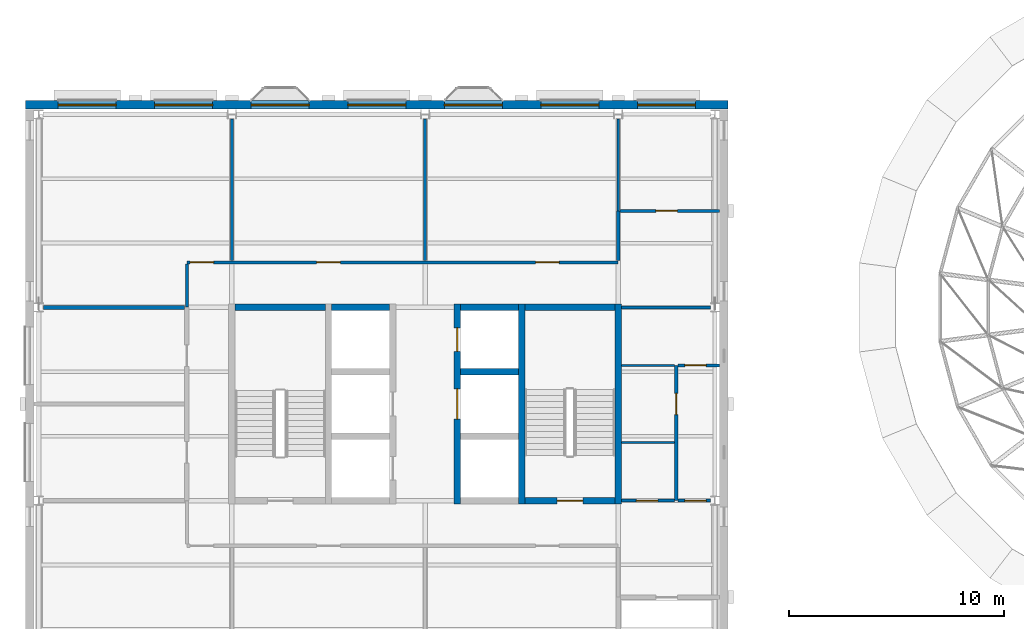
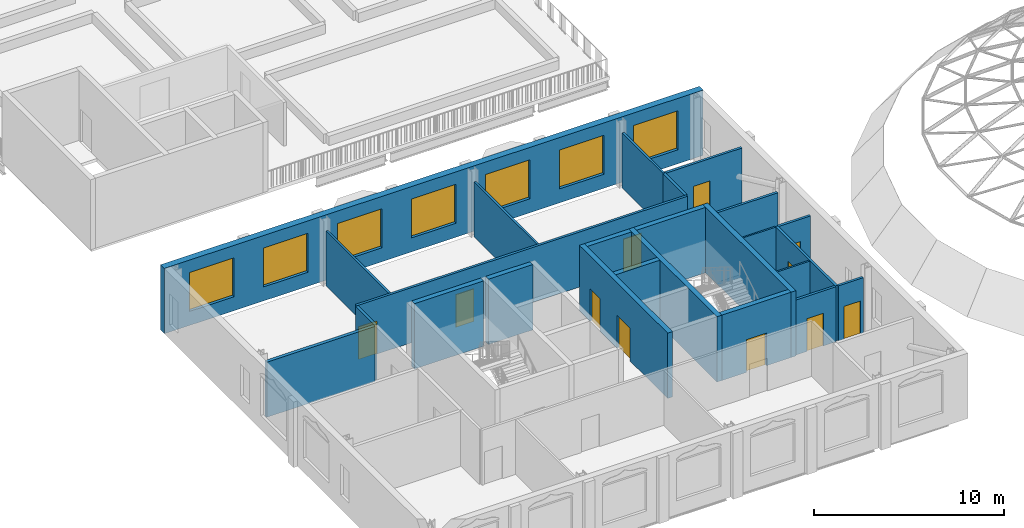
# One storey, part 13 of 33: 25 walls, 11 doors, 7 windows, 18 openings.
"""IFC4 building model written with IfcOpenShell, lengths in metres."""

from ifc_helpers import new_model, si_unit, direction, frame, frame_2d, origin, place, context, subcontext, project, spatial, rectangle, extrude, material, layer, layer_set, type_object, element, fill, save


model = new_model("IFC4")

# Units and contexts
model_context = context("Model", 3, precision=1e-05, world=origin(), true_north=direction((0.0, 1.0)))
body_context = subcontext(model_context, "Body", "Model", "MODEL_VIEW")
ifc_project = project(units=[si_unit("LENGTHUNIT", "METRE"), si_unit("AREAUNIT", "SQUARE_METRE"), si_unit("VOLUMEUNIT", "CUBIC_METRE"), si_unit("PLANEANGLEUNIT", "RADIAN"), si_unit("MASSUNIT", "GRAM", prefix="KILO")], contexts=[model_context])

# Site, building, storey
site_placement = place(None, origin())
site = spatial("IfcSite", under=ifc_project, at=site_placement, CompositionType="ELEMENT")
building_placement = place(site_placement, origin())
building = spatial("IfcBuilding", under=site, at=building_placement, Name="Hortulan Conservatory and Botanical Research Centre", CompositionType="ELEMENT")
storey_placement = place(building_placement, frame((0.0, 0.0, 19.199951171875)))
storey = spatial("IfcBuildingStorey", under=building, at=storey_placement, Name="L04", CompositionType="ELEMENT", Elevation=19.199951171875)

# Wall
ifc_material_1 = material(Name="Fire-rated plasterboard on steel studs", Category="steel")
ifc_layer_1 = layer(ifc_material_1, 0.199951171875)
ifc_layer_set_1 = layer_set([ifc_layer_1], Name="Compartment Partition 200")
wall_type_1 = type_object("IfcWallType", Name="Compartment Partition 200", PredefinedType="PARTITIONING", material=ifc_layer_set_1)
wall_1_placement = place(storey_placement, frame((0.2099609375, 18.0, 0.0), z_axis=(0.0, 0.0, 1.0), x_axis=(1.0, 0.0, 0.0)))
element("IfcWall", 1, at=wall_1_placement, inside=storey, type_object=wall_type_1, Name="Store wall", PredefinedType="PARTITIONING", context=body_context, shape_type="SweptSolid", body=[
    extrude(rectangle(XDim=6.580078125, YDim=0.199951171875, at=frame_2d((3.2900390625, 0.0))), origin(), (0.0, 0.0, 1.0), 3.537109375),
])

# Wall, openings, doors
ifc_material_2 = material(Name="Concrete N50 (50 MPa, AS 3600)", Category="concrete")
ifc_layer_2 = layer(ifc_material_2, 0.300048828125)
ifc_layer_set_2 = layer_set([ifc_layer_2], Name="Core Wall 300 N50 FRL 240/120/120")
wall_type_2 = type_object("IfcWallType", Name="Core Wall 300 N50 FRL 240/120/120", PredefinedType="SHEAR", material=ifc_layer_set_2)
wall_2_placement = place(storey_placement, frame((19.5, 8.85009765625, 0.0), z_axis=(0.0, 0.0, 1.0), x_axis=(0.0, 1.0, 0.0)))
wall_2 = element("IfcWall", 2, at=wall_2_placement, inside=storey, type_object=wall_type_2, Name="Reinforced concrete shaft wall", PredefinedType="SHEAR", context=body_context, shape_type="SweptSolid", body=[
    extrude(rectangle(XDim=9.2998046875, YDim=0.300048828125, at=frame_2d((4.64990234375, 0.0))), origin(), (0.0, 0.0, 1.0), 4.199951171875),
])
opening_1_placement = place(wall_2_placement, frame((3.949951171875, 0.0, 0.0)))
opening_1 = element("IfcOpeningElement", 3, at=opening_1_placement, cuts=wall_2, Name="Opening LD2", PredefinedType="OPENING", context=body_context, shape_type="SweptSolid", body=[
    extrude(rectangle(XDim=1.39990234375, YDim=2.10009765625, at=frame_2d((0.699951171875, 1.050048828125))), frame((0.0, 0.159912109375, 0.0), z_axis=(0.0, -1.0, 0.0), x_axis=(1.0, 0.0, 0.0)), (0.0, 0.0, 1.0), 0.320068359375),
])
opening_2_placement = place(wall_2_placement, frame((7.10009765625, 0.0, 0.0)))
opening_2 = element("IfcOpeningElement", 4, at=opening_2_placement, cuts=wall_2, Name="Opening LD1", PredefinedType="OPENING", context=body_context, shape_type="SweptSolid", body=[
    extrude(rectangle(XDim=1.10009765625, YDim=2.10009765625, at=frame_2d((0.550048828125, 1.050048828125))), frame((0.0, 0.159912109375, 0.0), z_axis=(0.0, -1.0, 0.0), x_axis=(1.0, 0.0, 0.0)), (0.0, 0.0, 1.0), 0.320068359375),
])
ifc_material_3 = material(Name="Stainless steel door leaves in steel frame", Category="steel")
door_type_1 = type_object("IfcDoorType", Name="Lift Landing Door 1100x2100", OperationType="DOUBLE_DOOR_SLIDING", PredefinedType="DOOR", material=ifc_material_3)
door_1_placement = place(opening_2_placement, origin())
door_1 = element("IfcDoor", 5, at=door_1_placement, inside=storey, type_object=door_type_1, Name="Lift LF1 landing door L04", OperationType="DOUBLE_DOOR_SLIDING", OverallHeight=2.10009765625, OverallWidth=1.10009765625, PredefinedType="DOOR", context=body_context, shape_type="SweptSolid", body=[
    extrude(rectangle(XDim=1.10009765625, YDim=2.10009765625, at=frame_2d((0.550048828125, 1.050048828125))), frame((0.0, 0.02490234375, 0.0), z_axis=(0.0, -1.0, 0.0), x_axis=(1.0, 0.0, 0.0)), (0.0, 0.0, 1.0), 0.050048828125),
])
fill(opening_2, door_1)
door_type_2 = type_object("IfcDoorType", Name="Lift Landing Door 1400x2100", OperationType="DOUBLE_DOOR_SLIDING", PredefinedType="DOOR", material=ifc_material_3)
door_2_placement = place(opening_1_placement, origin())
door_2 = element("IfcDoor", 6, at=door_2_placement, inside=storey, type_object=door_type_2, Name="Lift LG1 landing door L04", OperationType="DOUBLE_DOOR_SLIDING", OverallHeight=2.10009765625, OverallWidth=1.39990234375, PredefinedType="DOOR", context=body_context, shape_type="SweptSolid", body=[
    extrude(rectangle(XDim=1.39990234375, YDim=2.10009765625, at=frame_2d((0.699951171875, 1.050048828125))), frame((0.0, 0.02490234375, 0.0), z_axis=(0.0, -1.0, 0.0), x_axis=(1.0, 0.0, 0.0)), (0.0, 0.0, 1.0), 0.050048828125),
])
fill(opening_1, door_2)

# Walls
for number, where, z_axis, x_axis, name in (
    (7, (22.5, 8.85009765625, 0.0), (0.0, 0.0, 1.0), (0.0, 1.0, 0.0), "Reinforced concrete shaft wall"),
    (8, (27.0, 8.85009765625, 0.0), (0.0, 0.0, 1.0), (0.0, 1.0, 0.0), "Reinforced concrete shaft wall"),
):
    element("IfcWall", number, at=place(storey_placement, frame(where, z_axis=z_axis, x_axis=x_axis)), inside=storey, type_object=wall_type_2, Name=name, PredefinedType="SHEAR", context=body_context, shape_type="SweptSolid", body=[
        extrude(rectangle(XDim=9.2998046875, YDim=0.300048828125, at=frame_2d((4.64990234375, 0.0))), origin(), (0.0, 0.0, 1.0), 4.199951171875),
    ])

# Wall, opening, door
wall_3_placement = place(storey_placement, frame((22.64990234375, 9.0, 0.0), z_axis=(0.0, 0.0, 1.0), x_axis=(1.0, 0.0, 0.0)))
wall_3 = element("IfcWall", 9, at=wall_3_placement, inside=storey, type_object=wall_type_2, Name="Reinforced concrete shaft wall", PredefinedType="SHEAR", context=body_context, shape_type="SweptSolid", body=[
    extrude(rectangle(XDim=4.2001953125, YDim=0.300048828125, at=frame_2d((2.10009765625, 0.0))), origin(), (0.0, 0.0, 1.0), 4.199951171875),
])
opening_3_placement = place(wall_3_placement, frame((1.5, 0.0, 0.0)))
opening_3 = element("IfcOpeningElement", 10, at=opening_3_placement, cuts=wall_3, Name="Opening DT5", PredefinedType="OPENING", context=body_context, shape_type="SweptSolid", body=[
    extrude(rectangle(XDim=1.199951171875, YDim=2.10009765625, at=frame_2d((0.60009765625, 1.050048828125))), frame((0.0, 0.159912109375, 0.0), z_axis=(0.0, -1.0, 0.0), x_axis=(1.0, 0.0, 0.0)), (0.0, 0.0, 1.0), 0.320068359375),
])
ifc_material_4 = material(Name="Steel door leaf, insulated", Category="steel")
door_type_3 = type_object("IfcDoorType", Name="Stair Door 1200x2100 FRL -/120/30", OperationType="NOTDEFINED", PredefinedType="DOOR", material=ifc_material_4)
door_3_placement = place(opening_3_placement, origin())
door_3 = element("IfcDoor", 11, at=door_3_placement, inside=storey, type_object=door_type_3, Name="Door DT5 Exit Stair T2", OperationType="SINGLE_SWING_LEFT", OverallHeight=2.10009765625, OverallWidth=1.199951171875, PredefinedType="DOOR", context=body_context, shape_type="SweptSolid", body=[
    extrude(rectangle(XDim=1.199951171875, YDim=2.10009765625, at=frame_2d((0.60009765625, 1.050048828125))), frame((0.0, 0.02490234375, 0.0), z_axis=(0.0, -1.0, 0.0), x_axis=(1.0, 0.0, 0.0)), (0.0, 0.0, 1.0), 0.050048828125),
])
fill(opening_3, door_3)

# Walls
wall_4_placement = place(storey_placement, frame((19.64990234375, 15.0, 0.0), z_axis=(0.0, 0.0, 1.0), x_axis=(1.0, 0.0, 0.0)))
element("IfcWall", 12, at=wall_4_placement, inside=storey, type_object=wall_type_2, Name="Reinforced concrete shaft wall", PredefinedType="SHEAR", context=body_context, shape_type="SweptSolid", body=[
    extrude(rectangle(XDim=2.7001953125, YDim=0.300048828125, at=frame_2d((1.35009765625, 0.0))), origin(), (0.0, 0.0, 1.0), 4.199951171875),
])
wall_5_placement = place(storey_placement, frame((9.14990234375, 18.0, 0.0), z_axis=(0.0, 0.0, 1.0), x_axis=(1.0, 0.0, 0.0)))
element("IfcWall", 13, at=wall_5_placement, inside=storey, type_object=wall_type_2, Name="Reinforced concrete shaft wall", PredefinedType="SHEAR", context=body_context, shape_type="SweptSolid", body=[
    extrude(rectangle(XDim=4.2001953125, YDim=0.300048828125, at=frame_2d((2.10009765625, 0.0))), origin(), (0.0, 0.0, 1.0), 4.199951171875),
])
for number, where, z_axis, x_axis, name in (
    (14, (13.64990234375, 18.0, 0.0), (0.0, 0.0, 1.0), (1.0, 0.0, 0.0), "Reinforced concrete shaft wall"),
    (15, (19.64990234375, 18.0, 0.0), (0.0, 0.0, 1.0), (1.0, 0.0, 0.0), "Reinforced concrete shaft wall"),
):
    element("IfcWall", number, at=place(storey_placement, frame(where, z_axis=z_axis, x_axis=x_axis)), inside=storey, type_object=wall_type_2, Name=name, PredefinedType="SHEAR", context=body_context, shape_type="SweptSolid", body=[
        extrude(rectangle(XDim=2.7001953125, YDim=0.300048828125, at=frame_2d((1.35009765625, 0.0))), origin(), (0.0, 0.0, 1.0), 4.199951171875),
    ])
wall_6_placement = place(storey_placement, frame((22.64990234375, 18.0, 0.0), z_axis=(0.0, 0.0, 1.0), x_axis=(1.0, 0.0, 0.0)))
element("IfcWall", 16, at=wall_6_placement, inside=storey, type_object=wall_type_2, Name="Reinforced concrete shaft wall", PredefinedType="SHEAR", context=body_context, shape_type="SweptSolid", body=[
    extrude(rectangle(XDim=4.2001953125, YDim=0.300048828125, at=frame_2d((2.10009765625, 0.0))), origin(), (0.0, 0.0, 1.0), 4.199951171875),
])
ifc_material_5 = material(Name="Plasterboard on steel studs", Category="steel")
ifc_layer_3 = layer(ifc_material_5, 0.14990234375)
ifc_layer_set_3 = layer_set([ifc_layer_3], Name="Corridor Partition 150")
wall_type_3 = type_object("IfcWallType", Name="Corridor Partition 150", PredefinedType="PARTITIONING", material=ifc_layer_set_3)
wall_7_placement = place(storey_placement, frame((6.89990234375, 18.010009765625, 0.0), z_axis=(0.0, 0.0, 1.0), x_axis=(0.0, 1.0, 0.0)))
element("IfcWall", 17, at=wall_7_placement, inside=storey, type_object=wall_type_3, Name="Corridor partition", PredefinedType="PARTITIONING", context=body_context, shape_type="SweptSolid", body=[
    extrude(rectangle(XDim=2.0048828125, YDim=0.14990234375, at=frame_2d((1.00244140625, 0.0))), origin(), (0.0, 0.0, 1.0), 3.537109375),
])
wall_8_placement = place(storey_placement, frame((27.0, 20.18505859375, 0.0), z_axis=(0.0, 0.0, 1.0), x_axis=(0.0, 1.0, 0.0)))
element("IfcWall", 18, at=wall_8_placement, inside=storey, type_object=wall_type_3, Name="Corridor partition", PredefinedType="PARTITIONING", context=body_context, shape_type="SweptSolid", body=[
    extrude(rectangle(XDim=2.304931640625, YDim=0.14990234375, at=frame_2d((1.15234375, 0.0))), origin(), (0.0, 0.0, 1.0), 3.537109375),
])

# Wall, opening, door
wall_9_placement = place(storey_placement, frame((27.159912109375, 9.0, 0.0), z_axis=(0.0, 0.0, 1.0), x_axis=(1.0, 0.0, 0.0)))
wall_9 = element("IfcWall", 19, at=wall_9_placement, inside=storey, type_object=wall_type_3, Name="Corridor partition", PredefinedType="PARTITIONING", context=body_context, shape_type="SweptSolid", body=[
    extrude(rectangle(XDim=2.455078125, YDim=0.14990234375, at=frame_2d((1.2275390625, 0.0))), origin(), (0.0, 0.0, 1.0), 3.537109375),
])
opening_4_placement = place(wall_9_placement, frame((0.68994140625, 0.0, 0.0)))
opening_4 = element("IfcOpeningElement", 20, at=opening_4_placement, cuts=wall_9, Name="Opening DT1", PredefinedType="OPENING", context=body_context, shape_type="SweptSolid", body=[
    extrude(rectangle(XDim=1.0, YDim=2.10009765625, at=frame_2d((0.5, 1.050048828125))), frame((0.0, 0.0849609375, 0.0), z_axis=(0.0, -1.0, 0.0), x_axis=(1.0, 0.0, 0.0)), (0.0, 0.0, 1.0), 0.169921875),
])
ifc_material_6 = material(Name="Timber door leaf in timber frame", Category="wood")
door_type_4 = type_object("IfcDoorType", Name="Single Door 1000x2100", OperationType="NOTDEFINED", PredefinedType="DOOR", material=ifc_material_6)
door_4_placement = place(opening_4_placement, origin())
door_4 = element("IfcDoor", 21, at=door_4_placement, inside=storey, type_object=door_type_4, Name="Door DT1 Accessible WC", OperationType="SINGLE_SWING_RIGHT", OverallHeight=2.10009765625, OverallWidth=1.0, PredefinedType="DOOR", context=body_context, shape_type="SweptSolid", body=[
    extrude(rectangle(XDim=1.0, YDim=2.10009765625, at=frame_2d((0.5, 1.050048828125))), frame((0.0, 0.02490234375, 0.0), z_axis=(0.0, -1.0, 0.0), x_axis=(1.0, 0.0, 0.0)), (0.0, 0.0, 1.0), 0.050048828125),
])
fill(opening_4, door_4)

# Wall
wall_10_placement = place(storey_placement, frame((27.159912109375, 18.0, 0.0), z_axis=(0.0, 0.0, 1.0), x_axis=(1.0, 0.0, 0.0)))
element("IfcWall", 22, at=wall_10_placement, inside=storey, type_object=wall_type_3, Name="Corridor partition", PredefinedType="PARTITIONING", context=body_context, shape_type="SweptSolid", body=[
    extrude(rectangle(XDim=4.130126953125, YDim=0.14990234375, at=frame_2d((2.06494140625, 0.0))), origin(), (0.0, 0.0, 1.0), 3.537109375),
])

# Wall, openings, doors
wall_11_placement = place(storey_placement, frame((6.89990234375, 20.10009765625, 0.0), z_axis=(0.0, 0.0, 1.0), x_axis=(1.0, 0.0, 0.0)))
wall_11 = element("IfcWall", 23, at=wall_11_placement, inside=storey, type_object=wall_type_3, Name="Corridor partition", PredefinedType="PARTITIONING", context=body_context, shape_type="SweptSolid", body=[
    extrude(rectangle(XDim=20.10009765625, YDim=0.14990234375, at=frame_2d((10.050048828125, 0.0))), origin(), (0.0, 0.0, 1.0), 3.537109375),
])
opening_5_placement = place(wall_11_placement, frame((0.14990234375, 0.0, 0.0)))
opening_5 = element("IfcOpeningElement", 24, at=opening_5_placement, cuts=wall_11, Name="Opening DT3", PredefinedType="OPENING", context=body_context, shape_type="SweptSolid", body=[
    extrude(rectangle(XDim=1.10009765625, YDim=2.10009765625, at=frame_2d((0.550048828125, 1.050048828125))), frame((0.0, 0.0849609375, 0.0), z_axis=(0.0, -1.0, 0.0), x_axis=(1.0, 0.0, 0.0)), (0.0, 0.0, 1.0), 0.169921875),
])
opening_6_placement = place(wall_11_placement, frame((6.050048828125, 0.0, 0.0)))
opening_6 = element("IfcOpeningElement", 25, at=opening_6_placement, cuts=wall_11, Name="Opening DT3", PredefinedType="OPENING", context=body_context, shape_type="SweptSolid", body=[
    extrude(rectangle(XDim=1.10009765625, YDim=2.10009765625, at=frame_2d((0.550048828125, 1.050048828125))), frame((0.0, 0.0849609375, 0.0), z_axis=(0.0, -1.0, 0.0), x_axis=(1.0, 0.0, 0.0)), (0.0, 0.0, 1.0), 0.169921875),
])
opening_7_placement = place(wall_11_placement, frame((16.25, 0.0, 0.0)))
opening_7 = element("IfcOpeningElement", 26, at=opening_7_placement, cuts=wall_11, Name="Opening DT3", PredefinedType="OPENING", context=body_context, shape_type="SweptSolid", body=[
    extrude(rectangle(XDim=1.10009765625, YDim=2.10009765625, at=frame_2d((0.550048828125, 1.050048828125))), frame((0.0, 0.0849609375, 0.0), z_axis=(0.0, -1.0, 0.0), x_axis=(1.0, 0.0, 0.0)), (0.0, 0.0, 1.0), 0.169921875),
])
ifc_material_7 = material(Name="Timber door leaf with vision panel", Category="wood")
door_type_5 = type_object("IfcDoorType", Name="Laboratory Door 1100x2100", OperationType="NOTDEFINED", PredefinedType="DOOR", material=ifc_material_7)
door_5_placement = place(opening_5_placement, origin())
door_5 = element("IfcDoor", 27, at=door_5_placement, inside=storey, type_object=door_type_5, Name="Door DT3 Chemistry Laboratory", OperationType="SINGLE_SWING_RIGHT", OverallHeight=2.10009765625, OverallWidth=1.10009765625, PredefinedType="DOOR", context=body_context, shape_type="SweptSolid", body=[
    extrude(rectangle(XDim=1.10009765625, YDim=2.10009765625, at=frame_2d((0.550048828125, 1.050048828125))), frame((0.0, 0.02490234375, 0.0), z_axis=(0.0, -1.0, 0.0), x_axis=(1.0, 0.0, 0.0)), (0.0, 0.0, 1.0), 0.050048828125),
])
fill(opening_5, door_5)
door_6_placement = place(opening_6_placement, origin())
door_6 = element("IfcDoor", 28, at=door_6_placement, inside=storey, type_object=door_type_5, Name="Door DT3 Phytochemistry Laboratory", OperationType="SINGLE_SWING_LEFT", OverallHeight=2.10009765625, OverallWidth=1.10009765625, PredefinedType="DOOR", context=body_context, shape_type="SweptSolid", body=[
    extrude(rectangle(XDim=1.10009765625, YDim=2.10009765625, at=frame_2d((0.550048828125, 1.050048828125))), frame((0.0, 0.02490234375, 0.0), z_axis=(0.0, -1.0, 0.0), x_axis=(1.0, 0.0, 0.0)), (0.0, 0.0, 1.0), 0.050048828125),
])
fill(opening_6, door_6)
door_7_placement = place(opening_7_placement, origin())
door_7 = element("IfcDoor", 29, at=door_7_placement, inside=storey, type_object=door_type_5, Name="Door DT3 Ecology Laboratory", OperationType="SINGLE_SWING_RIGHT", OverallHeight=2.10009765625, OverallWidth=1.10009765625, PredefinedType="DOOR", context=body_context, shape_type="SweptSolid", body=[
    extrude(rectangle(XDim=1.10009765625, YDim=2.10009765625, at=frame_2d((0.550048828125, 1.050048828125))), frame((0.0, 0.02490234375, 0.0), z_axis=(0.0, -1.0, 0.0), x_axis=(1.0, 0.0, 0.0)), (0.0, 0.0, 1.0), 0.050048828125),
])
fill(opening_7, door_7)

# Wall, opening, door
wall_12_placement = place(storey_placement, frame((27.072509765625, 22.5, 0.0), z_axis=(0.0, 0.0, 1.0), x_axis=(1.0, 0.0, 0.0)))
wall_12 = element("IfcWall", 30, at=wall_12_placement, inside=storey, type_object=wall_type_3, Name="Corridor partition", PredefinedType="PARTITIONING", context=body_context, shape_type="SweptSolid", body=[
    extrude(rectangle(XDim=4.642578125, YDim=0.14990234375, at=frame_2d((2.3212890625, 0.0))), origin(), (0.0, 0.0, 1.0), 3.537109375),
])
opening_8_placement = place(wall_12_placement, frame((1.677490234375, 0.0, 0.0)))
opening_8 = element("IfcOpeningElement", 31, at=opening_8_placement, cuts=wall_12, Name="Opening DT1", PredefinedType="OPENING", context=body_context, shape_type="SweptSolid", body=[
    extrude(rectangle(XDim=1.0, YDim=2.10009765625, at=frame_2d((0.5, 1.050048828125))), frame((0.0, 0.0849609375, 0.0), z_axis=(0.0, -1.0, 0.0), x_axis=(1.0, 0.0, 0.0)), (0.0, 0.0, 1.0), 0.169921875),
])
door_8_placement = place(opening_8_placement, origin())
door_8 = element("IfcDoor", 32, at=door_8_placement, inside=storey, type_object=door_type_4, Name="Door DT1 Staff Meeting Room", OperationType="SINGLE_SWING_LEFT", OverallHeight=2.10009765625, OverallWidth=1.0, PredefinedType="DOOR", context=body_context, shape_type="SweptSolid", body=[
    extrude(rectangle(XDim=1.0, YDim=2.10009765625, at=frame_2d((0.5, 1.050048828125))), frame((0.0, 0.02490234375, 0.0), z_axis=(0.0, -1.0, 0.0), x_axis=(1.0, 0.0, 0.0)), (0.0, 0.0, 1.0), 0.050048828125),
])
fill(opening_8, door_8)

# Wall, openings, windows
ifc_material_8 = material(Name="Faience-faced brickwork masonry", Category="masonry")
ifc_layer_4 = layer(ifc_material_8, 0.39990234375)
ifc_layer_set_4 = layer_set([ifc_layer_4], Name="Faience-faced Masonry Cavity Wall 400")
wall_type_4 = type_object("IfcWallType", Name="Faience-faced Masonry Cavity Wall 400", PredefinedType="STANDARD", material=ifc_layer_set_4)
wall_13_placement = place(storey_placement, frame((-0.625, 27.43603515625, 0.0), z_axis=(0.0, 0.0, 1.0), x_axis=(1.0, 0.0, 0.0)))
wall_13 = element("IfcWall", 33, at=wall_13_placement, inside=storey, type_object=wall_type_4, Name="E-EW-TW-L04-N3", PredefinedType="STANDARD", context=body_context, shape_type="SweptSolid", body=[
    extrude(rectangle(XDim=32.75, YDim=0.39990234375, at=frame_2d((16.375, 0.0))), origin(), (0.0, 0.0, 1.0), 4.199951171875),
])
opening_9_placement = place(wall_13_placement, frame((1.52490234375, 0.0, 0.89990234375)))
opening_9 = element("IfcOpeningElement", 34, at=opening_9_placement, cuts=wall_13, Name="Opening W4", PredefinedType="OPENING", context=body_context, shape_type="SweptSolid", body=[
    extrude(rectangle(XDim=2.699951171875, YDim=2.5, at=frame_2d((1.35009765625, 1.25))), frame((0.0, 0.2099609375, 0.0), z_axis=(0.0, -1.0, 0.0), x_axis=(1.0, 0.0, 0.0)), (0.0, 0.0, 1.0), 0.419921875),
])
opening_10_placement = place(wall_13_placement, frame((6.02490234375, 0.0, 0.89990234375)))
opening_10 = element("IfcOpeningElement", 35, at=opening_10_placement, cuts=wall_13, Name="Opening W4", PredefinedType="OPENING", context=body_context, shape_type="SweptSolid", body=[
    extrude(rectangle(XDim=2.699951171875, YDim=2.5, at=frame_2d((1.35009765625, 1.25))), frame((0.0, 0.2099609375, 0.0), z_axis=(0.0, -1.0, 0.0), x_axis=(1.0, 0.0, 0.0)), (0.0, 0.0, 1.0), 0.419921875),
])
opening_11_placement = place(wall_13_placement, frame((10.52490234375, 0.0, 0.89990234375)))
opening_11 = element("IfcOpeningElement", 36, at=opening_11_placement, cuts=wall_13, Name="Opening W4", PredefinedType="OPENING", context=body_context, shape_type="SweptSolid", body=[
    extrude(rectangle(XDim=2.699951171875, YDim=2.5, at=frame_2d((1.35009765625, 1.25))), frame((0.0, 0.2099609375, 0.0), z_axis=(0.0, -1.0, 0.0), x_axis=(1.0, 0.0, 0.0)), (0.0, 0.0, 1.0), 0.419921875),
])
opening_12_placement = place(wall_13_placement, frame((15.02490234375, 0.0, 0.89990234375)))
opening_12 = element("IfcOpeningElement", 37, at=opening_12_placement, cuts=wall_13, Name="Opening W4", PredefinedType="OPENING", context=body_context, shape_type="SweptSolid", body=[
    extrude(rectangle(XDim=2.699951171875, YDim=2.5, at=frame_2d((1.35009765625, 1.25))), frame((0.0, 0.2099609375, 0.0), z_axis=(0.0, -1.0, 0.0), x_axis=(1.0, 0.0, 0.0)), (0.0, 0.0, 1.0), 0.419921875),
])
opening_13_placement = place(wall_13_placement, frame((19.52490234375, 0.0, 0.89990234375)))
opening_13 = element("IfcOpeningElement", 38, at=opening_13_placement, cuts=wall_13, Name="Opening W4", PredefinedType="OPENING", context=body_context, shape_type="SweptSolid", body=[
    extrude(rectangle(XDim=2.699951171875, YDim=2.5, at=frame_2d((1.35009765625, 1.25))), frame((0.0, 0.2099609375, 0.0), z_axis=(0.0, -1.0, 0.0), x_axis=(1.0, 0.0, 0.0)), (0.0, 0.0, 1.0), 0.419921875),
])
opening_14_placement = place(wall_13_placement, frame((24.02490234375, 0.0, 0.89990234375)))
opening_14 = element("IfcOpeningElement", 39, at=opening_14_placement, cuts=wall_13, Name="Opening W4", PredefinedType="OPENING", context=body_context, shape_type="SweptSolid", body=[
    extrude(rectangle(XDim=2.699951171875, YDim=2.5, at=frame_2d((1.35009765625, 1.25))), frame((0.0, 0.2099609375, 0.0), z_axis=(0.0, -1.0, 0.0), x_axis=(1.0, 0.0, 0.0)), (0.0, 0.0, 1.0), 0.419921875),
])
opening_15_placement = place(wall_13_placement, frame((28.52490234375, 0.0, 0.89990234375)))
opening_15 = element("IfcOpeningElement", 40, at=opening_15_placement, cuts=wall_13, Name="Opening W4", PredefinedType="OPENING", context=body_context, shape_type="SweptSolid", body=[
    extrude(rectangle(XDim=2.699951171875, YDim=2.5, at=frame_2d((1.35009765625, 1.25))), frame((0.0, 0.2099609375, 0.0), z_axis=(0.0, -1.0, 0.0), x_axis=(1.0, 0.0, 0.0)), (0.0, 0.0, 1.0), 0.419921875),
])
ifc_material_9 = material(Name="Bronze-finished aluminium frame with low-e laminated double glazing", Category="aluminium")
window_type = type_object("IfcWindowType", Name="Faience Window 2700x2500", PartitioningType="SINGLE_PANEL", PredefinedType="WINDOW", material=ifc_material_9)
window_1_placement = place(opening_9_placement, origin())
window_1 = element("IfcWindow", 41, at=window_1_placement, inside=storey, type_object=window_type, Name="Faience window", OverallHeight=2.5, OverallWidth=2.699951171875, PartitioningType="SINGLE_PANEL", PredefinedType="WINDOW", context=body_context, shape_type="SweptSolid", body=[
    extrude(rectangle(XDim=2.699951171875, YDim=2.5, at=frame_2d((1.35009765625, 1.25))), frame((0.0, 0.030029296875, 0.0), z_axis=(0.0, -1.0, 0.0), x_axis=(1.0, 0.0, 0.0)), (0.0, 0.0, 1.0), 0.06005859375),
])
fill(opening_9, window_1)
window_2_placement = place(opening_10_placement, origin())
window_2 = element("IfcWindow", 42, at=window_2_placement, inside=storey, type_object=window_type, Name="Faience window", OverallHeight=2.5, OverallWidth=2.699951171875, PartitioningType="SINGLE_PANEL", PredefinedType="WINDOW", context=body_context, shape_type="SweptSolid", body=[
    extrude(rectangle(XDim=2.699951171875, YDim=2.5, at=frame_2d((1.35009765625, 1.25))), frame((0.0, 0.030029296875, 0.0), z_axis=(0.0, -1.0, 0.0), x_axis=(1.0, 0.0, 0.0)), (0.0, 0.0, 1.0), 0.06005859375),
])
fill(opening_10, window_2)
window_3_placement = place(opening_11_placement, origin())
window_3 = element("IfcWindow", 43, at=window_3_placement, inside=storey, type_object=window_type, Name="Faience window", OverallHeight=2.5, OverallWidth=2.699951171875, PartitioningType="SINGLE_PANEL", PredefinedType="WINDOW", context=body_context, shape_type="SweptSolid", body=[
    extrude(rectangle(XDim=2.699951171875, YDim=2.5, at=frame_2d((1.35009765625, 1.25))), frame((0.0, 0.030029296875, 0.0), z_axis=(0.0, -1.0, 0.0), x_axis=(1.0, 0.0, 0.0)), (0.0, 0.0, 1.0), 0.06005859375),
])
fill(opening_11, window_3)
window_4_placement = place(opening_12_placement, origin())
window_4 = element("IfcWindow", 44, at=window_4_placement, inside=storey, type_object=window_type, Name="Faience window", OverallHeight=2.5, OverallWidth=2.699951171875, PartitioningType="SINGLE_PANEL", PredefinedType="WINDOW", context=body_context, shape_type="SweptSolid", body=[
    extrude(rectangle(XDim=2.699951171875, YDim=2.5, at=frame_2d((1.35009765625, 1.25))), frame((0.0, 0.030029296875, 0.0), z_axis=(0.0, -1.0, 0.0), x_axis=(1.0, 0.0, 0.0)), (0.0, 0.0, 1.0), 0.06005859375),
])
fill(opening_12, window_4)
window_5_placement = place(opening_13_placement, origin())
window_5 = element("IfcWindow", 45, at=window_5_placement, inside=storey, type_object=window_type, Name="Faience window", OverallHeight=2.5, OverallWidth=2.699951171875, PartitioningType="SINGLE_PANEL", PredefinedType="WINDOW", context=body_context, shape_type="SweptSolid", body=[
    extrude(rectangle(XDim=2.699951171875, YDim=2.5, at=frame_2d((1.35009765625, 1.25))), frame((0.0, 0.030029296875, 0.0), z_axis=(0.0, -1.0, 0.0), x_axis=(1.0, 0.0, 0.0)), (0.0, 0.0, 1.0), 0.06005859375),
])
fill(opening_13, window_5)
window_6_placement = place(opening_14_placement, origin())
window_6 = element("IfcWindow", 46, at=window_6_placement, inside=storey, type_object=window_type, Name="Faience window", OverallHeight=2.5, OverallWidth=2.699951171875, PartitioningType="SINGLE_PANEL", PredefinedType="WINDOW", context=body_context, shape_type="SweptSolid", body=[
    extrude(rectangle(XDim=2.699951171875, YDim=2.5, at=frame_2d((1.35009765625, 1.25))), frame((0.0, 0.030029296875, 0.0), z_axis=(0.0, -1.0, 0.0), x_axis=(1.0, 0.0, 0.0)), (0.0, 0.0, 1.0), 0.06005859375),
])
fill(opening_14, window_6)
window_7_placement = place(opening_15_placement, origin())
window_7 = element("IfcWindow", 47, at=window_7_placement, inside=storey, type_object=window_type, Name="Faience window", OverallHeight=2.5, OverallWidth=2.699951171875, PartitioningType="SINGLE_PANEL", PredefinedType="WINDOW", context=body_context, shape_type="SweptSolid", body=[
    extrude(rectangle(XDim=2.699951171875, YDim=2.5, at=frame_2d((1.35009765625, 1.25))), frame((0.0, 0.030029296875, 0.0), z_axis=(0.0, -1.0, 0.0), x_axis=(1.0, 0.0, 0.0)), (0.0, 0.0, 1.0), 0.06005859375),
])
fill(opening_15, window_7)

# Wall, opening, door
ifc_layer_5 = layer(ifc_material_1, 0.14990234375)
ifc_layer_set_5 = layer_set([ifc_layer_5], Name="Lobby Partition 150")
wall_type_5 = type_object("IfcWallType", Name="Lobby Partition 150", PredefinedType="PARTITIONING", material=ifc_layer_set_5)
wall_14_placement = place(storey_placement, frame((29.699951171875, 9.0, 0.0), z_axis=(0.0, 0.0, 1.0), x_axis=(0.0, 1.0, 0.0)))
wall_14 = element("IfcWall", 48, at=wall_14_placement, inside=storey, type_object=wall_type_5, Name="Lobby partition", PredefinedType="PARTITIONING", context=body_context, shape_type="SweptSolid", body=[
    extrude(rectangle(XDim=6.300048828125, YDim=0.14990234375, at=frame_2d((3.14990234375, 0.0))), origin(), (0.0, 0.0, 1.0), 3.537109375),
])
opening_16_placement = place(wall_14_placement, frame((4.0, 0.0, 0.0)))
opening_16 = element("IfcOpeningElement", 49, at=opening_16_placement, cuts=wall_14, Name="Opening DT4", PredefinedType="OPENING", context=body_context, shape_type="SweptSolid", body=[
    extrude(rectangle(XDim=1.0, YDim=2.10009765625, at=frame_2d((0.5, 1.050048828125))), frame((0.0, 0.0849609375, 0.0), z_axis=(0.0, -1.0, 0.0), x_axis=(1.0, 0.0, 0.0)), (0.0, 0.0, 1.0), 0.169921875),
])
door_type_6 = type_object("IfcDoorType", Name="Fire Door 1000x2100 FRL -/60/30", OperationType="NOTDEFINED", PredefinedType="DOOR", material=ifc_material_4)
door_9_placement = place(opening_16_placement, origin())
door_9 = element("IfcDoor", 50, at=door_9_placement, inside=storey, type_object=door_type_6, Name="Door DT4 Women's WC", OperationType="SINGLE_SWING_LEFT", OverallHeight=2.10009765625, OverallWidth=1.0, PredefinedType="DOOR", context=body_context, shape_type="SweptSolid", body=[
    extrude(rectangle(XDim=1.0, YDim=2.10009765625, at=frame_2d((0.5, 1.050048828125))), frame((0.0, 0.02490234375, 0.0), z_axis=(0.0, -1.0, 0.0), x_axis=(1.0, 0.0, 0.0)), (0.0, 0.0, 1.0), 0.050048828125),
])
fill(opening_16, door_9)

wall_15_placement = place(storey_placement, frame((29.784912109375, 9.0, 0.0), z_axis=(0.0, 0.0, 1.0), x_axis=(1.0, 0.0, 0.0)))
wall_15 = element("IfcWall", 51, at=wall_15_placement, inside=storey, type_object=wall_type_5, Name="Lobby partition", PredefinedType="PARTITIONING", context=body_context, shape_type="SweptSolid", body=[
    extrude(rectangle(XDim=1.505126953125, YDim=0.14990234375, at=frame_2d((0.75244140625, 0.0))), origin(), (0.0, 0.0, 1.0), 3.537109375),
])
opening_17_placement = place(wall_15_placement, frame((0.31494140625, 0.0, 0.0)))
opening_17 = element("IfcOpeningElement", 52, at=opening_17_placement, cuts=wall_15, Name="Opening DT4", PredefinedType="OPENING", context=body_context, shape_type="SweptSolid", body=[
    extrude(rectangle(XDim=1.0, YDim=2.10009765625, at=frame_2d((0.5, 1.050048828125))), frame((0.0, 0.0849609375, 0.0), z_axis=(0.0, -1.0, 0.0), x_axis=(1.0, 0.0, 0.0)), (0.0, 0.0, 1.0), 0.169921875),
])
door_10_placement = place(opening_17_placement, origin())
door_10 = element("IfcDoor", 53, at=door_10_placement, inside=storey, type_object=door_type_6, Name="Door DT4 WC Lobby", OperationType="SINGLE_SWING_LEFT", OverallHeight=2.10009765625, OverallWidth=1.0, PredefinedType="DOOR", context=body_context, shape_type="SweptSolid", body=[
    extrude(rectangle(XDim=1.0, YDim=2.10009765625, at=frame_2d((0.5, 1.050048828125))), frame((0.0, 0.02490234375, 0.0), z_axis=(0.0, -1.0, 0.0), x_axis=(1.0, 0.0, 0.0)), (0.0, 0.0, 1.0), 0.050048828125),
])
fill(opening_17, door_10)

wall_16_placement = place(storey_placement, frame((29.784912109375, 15.300048828125, 0.0), z_axis=(0.0, 0.0, 1.0), x_axis=(1.0, 0.0, 0.0)))
wall_16 = element("IfcWall", 54, at=wall_16_placement, inside=storey, type_object=wall_type_5, Name="Lobby partition", PredefinedType="PARTITIONING", context=body_context, shape_type="SweptSolid", body=[
    extrude(rectangle(XDim=1.93017578125, YDim=0.14990234375, at=frame_2d((0.965087890625, 0.0))), origin(), (0.0, 0.0, 1.0), 3.537109375),
])
opening_18_placement = place(wall_16_placement, frame((0.31494140625, 0.0, 0.0)))
opening_18 = element("IfcOpeningElement", 55, at=opening_18_placement, cuts=wall_16, Name="Opening DT4", PredefinedType="OPENING", context=body_context, shape_type="SweptSolid", body=[
    extrude(rectangle(XDim=1.0, YDim=2.10009765625, at=frame_2d((0.5, 1.050048828125))), frame((0.0, 0.0849609375, 0.0), z_axis=(0.0, -1.0, 0.0), x_axis=(1.0, 0.0, 0.0)), (0.0, 0.0, 1.0), 0.169921875),
])
door_11_placement = place(opening_18_placement, origin())
door_11 = element("IfcDoor", 56, at=door_11_placement, inside=storey, type_object=door_type_6, Name="Door DT4 Men's WC", OperationType="SINGLE_SWING_RIGHT", OverallHeight=2.10009765625, OverallWidth=1.0, PredefinedType="DOOR", context=body_context, shape_type="SweptSolid", body=[
    extrude(rectangle(XDim=1.0, YDim=2.10009765625, at=frame_2d((0.5, 1.050048828125))), frame((0.0, 0.02490234375, 0.0), z_axis=(0.0, -1.0, 0.0), x_axis=(1.0, 0.0, 0.0)), (0.0, 0.0, 1.0), 0.050048828125),
])
fill(opening_18, door_11)

# Walls
ifc_layer_6 = layer(ifc_material_5, 0.125)
ifc_layer_set_6 = layer_set([ifc_layer_6], Name="Partition 125")
wall_type_6 = type_object("IfcWallType", Name="Partition 125", PredefinedType="PARTITIONING", material=ifc_layer_set_6)
for number, where, z_axis, x_axis, name in (
    (57, (9.0, 20.18505859375, 0.0), (0.0, 0.0, 1.0), (0.0, 1.0, 0.0), "Partition"),
    (58, (18.0, 20.18505859375, 0.0), (0.0, 0.0, 1.0), (0.0, 1.0, 0.0), "Partition"),
):
    element("IfcWall", number, at=place(storey_placement, frame(where, z_axis=z_axis, x_axis=x_axis)), inside=storey, type_object=wall_type_6, Name=name, PredefinedType="PARTITIONING", context=body_context, shape_type="SweptSolid", body=[
        extrude(rectangle(XDim=6.593994140625, YDim=0.125, at=frame_2d((3.296875, 0.0))), origin(), (0.0, 0.0, 1.0), 3.537109375),
    ])
wall_17_placement = place(storey_placement, frame((27.0, 22.5, 0.0), z_axis=(0.0, 0.0, 1.0), x_axis=(0.0, 1.0, 0.0)))
element("IfcWall", 59, at=wall_17_placement, inside=storey, type_object=wall_type_6, Name="Partition", PredefinedType="PARTITIONING", context=body_context, shape_type="SweptSolid", body=[
    extrude(rectangle(XDim=4.279052734375, YDim=0.125, at=frame_2d((2.1396484375, 0.0))), origin(), (0.0, 0.0, 1.0), 3.537109375),
])
ifc_material_10 = material(Name="Moisture-resistant plasterboard on steel studs", Category="steel")
ifc_layer_7 = layer(ifc_material_10, 0.10009765625)
ifc_layer_set_7 = layer_set([ifc_layer_7], Name="Wet Area Partition 100")
wall_type_7 = type_object("IfcWallType", Name="Wet Area Partition 100", PredefinedType="PARTITIONING", material=ifc_layer_set_7)
for number, where, z_axis, x_axis, name in (
    (60, (27.159912109375, 11.699951171875, 0.0), (0.0, 0.0, 1.0), (1.0, 0.0, 0.0), "Toilet partition"),
    (61, (27.159912109375, 15.300048828125, 0.0), (0.0, 0.0, 1.0), (1.0, 0.0, 0.0), "Toilet partition"),
):
    element("IfcWall", number, at=place(storey_placement, frame(where, z_axis=z_axis, x_axis=x_axis)), inside=storey, type_object=wall_type_7, Name=name, PredefinedType="PARTITIONING", context=body_context, shape_type="SweptSolid", body=[
        extrude(rectangle(XDim=2.455078125, YDim=0.10009765625, at=frame_2d((1.2275390625, 0.0))), origin(), (0.0, 0.0, 1.0), 3.537109375),
    ])

save(model, "model.ifc")
